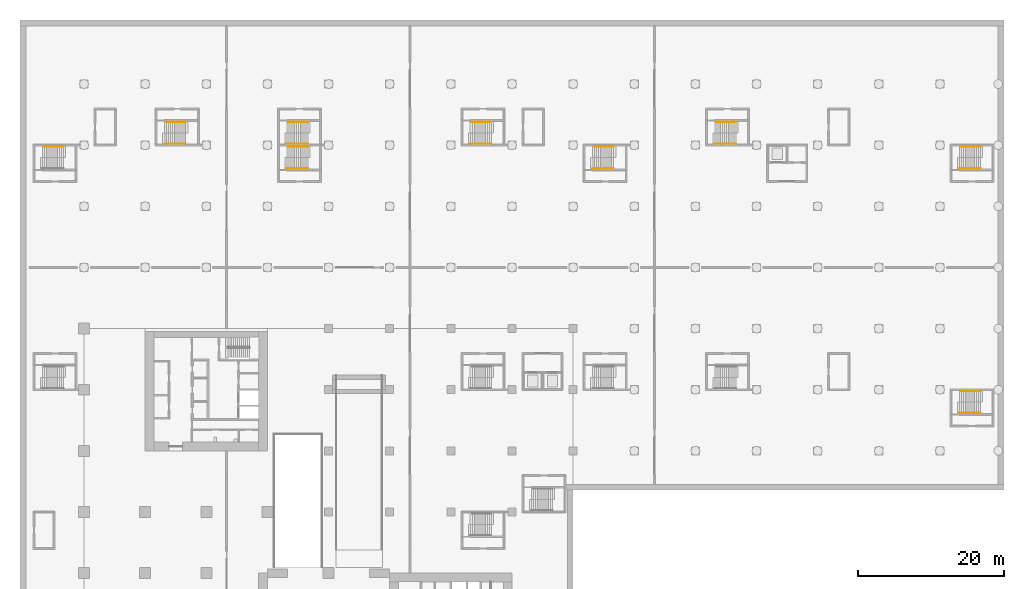
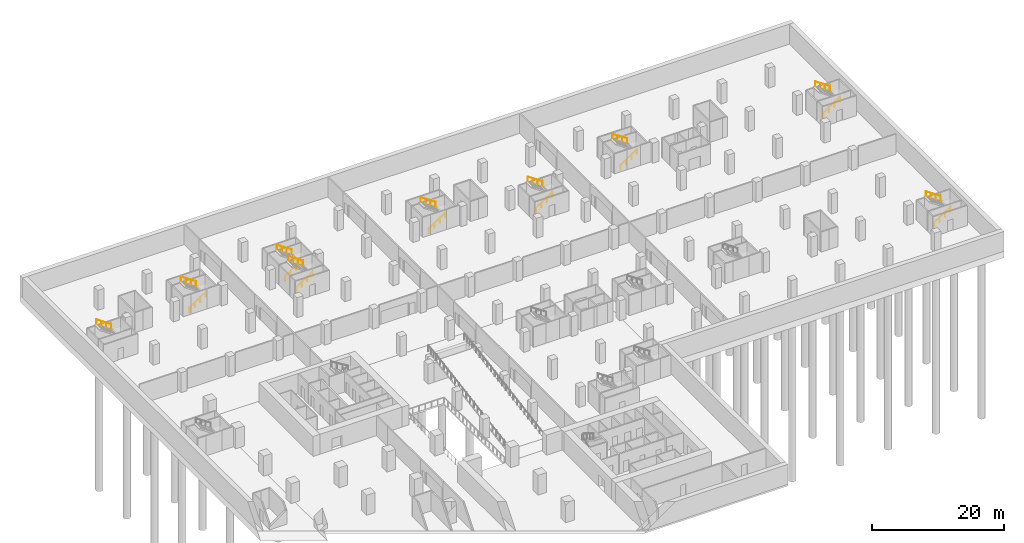
# One storey, part 17 of 19: 17 railings.
"""IFC4 building model written with IfcOpenShell, lengths in metres."""

from ifc_helpers import new_model, si_unit, direction, frame, origin, origin_2d, place, context, subcontext, project, spatial, circle, extrude, material, type_object, element, save


model = new_model("IFC4")

# Units and contexts
model_context = context("Model", 3, precision=1e-05, world=origin(), true_north=direction((0.0, 1.0)))
body_context = subcontext(model_context, "Body", "Model", "MODEL_VIEW")
ifc_project = project(units=[si_unit("LENGTHUNIT", "METRE"), si_unit("AREAUNIT", "SQUARE_METRE"), si_unit("VOLUMEUNIT", "CUBIC_METRE"), si_unit("PLANEANGLEUNIT", "RADIAN"), si_unit("MASSUNIT", "GRAM", prefix="KILO")], contexts=[model_context])

# Site, building, storey
site_placement = place(None, origin())
site = spatial("IfcSite", under=ifc_project, at=site_placement, CompositionType="ELEMENT")
building_placement = place(site_placement, origin())
building = spatial("IfcBuilding", under=site, at=building_placement, Name="Vermilion Gate Residences", CompositionType="ELEMENT")
storey_placement = place(building_placement, frame((0.0, 0.0, -8.0)))
storey = spatial("IfcBuildingStorey", under=building, at=storey_placement, Name="B2", CompositionType="ELEMENT", Elevation=-8.0)

# Railings
ifc_material = material(Name="Steel", Category="steel")
railing_type = type_object("IfcRailingType", Name="STAIR HANDRAIL 900 (AMENITY)", PredefinedType="HANDRAIL", material=ifc_material)
railing_1_placement = place(storey_placement, frame((120.300048828125, 47.199951171875, 0.173828125)))
element("IfcRailing", 1, at=railing_1_placement, inside=storey, type_object=railing_type, Name="Stair handrail", PredefinedType="HANDRAIL", context=body_context, shape_type="SweptSolid", body=[
    extrude(circle(Radius=0.02392578125, at=origin_2d()), frame((0.0, 0.0, 0.8759765625), z_axis=(0.831175961304, 0.0, 0.556009461565), x_axis=(0.0, 1.0, 0.0)), (0.0, 0.0, 1.0), 3.440673828125),
    extrude(circle(Radius=0.02099609375, at=origin_2d()), origin(), (0.0, 0.0, 1.0), 0.851806640625),
    extrude(circle(Radius=0.02099609375, at=origin_2d()), frame((0.953369140625, 0.0, 0.6376953125)), (0.0, 0.0, 1.0), 0.851806640625),
    extrude(circle(Radius=0.02099609375, at=origin_2d()), frame((1.906494140625, 0.0, 1.275390625)), (0.0, 0.0, 1.0), 0.851806640625),
    extrude(circle(Radius=0.02099609375, at=origin_2d()), frame((2.85986328125, 0.0, 1.9130859375)), (0.0, 0.0, 1.0), 0.851806640625),
])
for number, where, name in (
    (2, (123.159912109375, 50.199951171875, 2.260986328125), "Stair handrail"),
    (3, (-2.840087890625, 83.800048828125, 2.260986328125), "Stair handrail"),
):
    element("IfcRailing", number, at=place(storey_placement, frame(where)), inside=storey, type_object=railing_type, Name=name, PredefinedType="HANDRAIL", context=body_context, shape_type="SweptSolid", body=[
        extrude(circle(Radius=0.02392578125, at=origin_2d()), frame((0.0, 0.0, 0.8759765625), z_axis=(-0.831196721983, 0.0, 0.555978425269), x_axis=(0.0, -1.0, 0.0)), (0.0, 0.0, 1.0), 3.1279296875),
        extrude(circle(Radius=0.02099609375, at=origin_2d()), origin(), (0.0, 0.0, 1.0), 0.851806640625),
        extrude(circle(Radius=0.02099609375, at=origin_2d()), frame((-0.86669921875, 0.0, 0.57958984375)), (0.0, 0.0, 1.0), 0.851806640625),
        extrude(circle(Radius=0.02099609375, at=origin_2d()), frame((-1.733154296875, 0.0, 1.159423828125)), (0.0, 0.0, 1.0), 0.851806640625),
        extrude(circle(Radius=0.02099609375, at=origin_2d()), frame((-2.599853515625, 0.0, 1.739013671875)), (0.0, 0.0, 1.0), 0.851806640625),
    ])
railing_2_placement = place(storey_placement, frame((11.10009765625, 84.199951171875, 0.173828125)))
element("IfcRailing", 4, at=railing_2_placement, inside=storey, type_object=railing_type, Name="Stair handrail", PredefinedType="HANDRAIL", context=body_context, shape_type="SweptSolid", body=[
    extrude(circle(Radius=0.02392578125, at=origin_2d()), frame((0.0, 0.0, 0.8759765625), z_axis=(0.831175961304, 0.0, 0.556009461565), x_axis=(0.0, 1.0, 0.0)), (0.0, 0.0, 1.0), 3.440673828125),
    extrude(circle(Radius=0.02099609375, at=origin_2d()), origin(), (0.0, 0.0, 1.0), 0.851806640625),
    extrude(circle(Radius=0.02099609375, at=origin_2d()), frame((0.953369140625, 0.0, 0.6376953125)), (0.0, 0.0, 1.0), 0.851806640625),
    extrude(circle(Radius=0.02099609375, at=origin_2d()), frame((1.906494140625, 0.0, 1.275390625)), (0.0, 0.0, 1.0), 0.851806640625),
    extrude(circle(Radius=0.02099609375, at=origin_2d()), frame((2.85986328125, 0.0, 1.9130859375)), (0.0, 0.0, 1.0), 0.851806640625),
])
railing_3_placement = place(storey_placement, frame((13.9599609375, 87.199951171875, 2.260986328125)))
element("IfcRailing", 5, at=railing_3_placement, inside=storey, type_object=railing_type, Name="Stair handrail", PredefinedType="HANDRAIL", context=body_context, shape_type="SweptSolid", body=[
    extrude(circle(Radius=0.02392578125, at=origin_2d()), frame((0.0, 0.0, 0.8759765625), z_axis=(-0.831196721983, 0.0, 0.555978425269), x_axis=(0.0, -1.0, 0.0)), (0.0, 0.0, 1.0), 3.1279296875),
    extrude(circle(Radius=0.02099609375, at=origin_2d()), origin(), (0.0, 0.0, 1.0), 0.851806640625),
    extrude(circle(Radius=0.02099609375, at=origin_2d()), frame((-0.86669921875, 0.0, 0.57958984375)), (0.0, 0.0, 1.0), 0.851806640625),
    extrude(circle(Radius=0.02099609375, at=origin_2d()), frame((-1.733154296875, 0.0, 1.159423828125)), (0.0, 0.0, 1.0), 0.851806640625),
    extrude(circle(Radius=0.02099609375, at=origin_2d()), frame((-2.599853515625, 0.0, 1.739013671875)), (0.0, 0.0, 1.0), 0.851806640625),
])
railing_4_placement = place(storey_placement, frame((27.89990234375, 84.199951171875, 0.173828125)))
element("IfcRailing", 6, at=railing_4_placement, inside=storey, type_object=railing_type, Name="Stair handrail", PredefinedType="HANDRAIL", context=body_context, shape_type="SweptSolid", body=[
    extrude(circle(Radius=0.02392578125, at=origin_2d()), frame((0.0, 0.0, 0.8759765625), z_axis=(0.831197895095, 0.0, 0.555976671444), x_axis=(0.0, 1.0, 0.0)), (0.0, 0.0, 1.0), 3.44091796875),
    extrude(circle(Radius=0.02099609375, at=origin_2d()), origin(), (0.0, 0.0, 1.0), 0.851806640625),
    extrude(circle(Radius=0.02099609375, at=origin_2d()), frame((0.953369140625, 0.0, 0.6376953125)), (0.0, 0.0, 1.0), 0.851806640625),
    extrude(circle(Radius=0.02099609375, at=origin_2d()), frame((1.90673828125, 0.0, 1.275390625)), (0.0, 0.0, 1.0), 0.851806640625),
    extrude(circle(Radius=0.02099609375, at=origin_2d()), frame((2.860107421875, 0.0, 1.9130859375)), (0.0, 0.0, 1.0), 0.851806640625),
])
railing_5_placement = place(storey_placement, frame((30.760009765625, 87.199951171875, 2.260986328125)))
element("IfcRailing", 7, at=railing_5_placement, inside=storey, type_object=railing_type, Name="Stair handrail", PredefinedType="HANDRAIL", context=body_context, shape_type="SweptSolid", body=[
    extrude(circle(Radius=0.02392578125, at=origin_2d()), frame((0.0, 0.0, 0.8759765625), z_axis=(-0.831220847055, 0.0, 0.555942356204), x_axis=(0.0, -1.0, 0.0)), (0.0, 0.0, 1.0), 3.1279296875),
    extrude(circle(Radius=0.02099609375, at=origin_2d()), origin(), (0.0, 0.0, 1.0), 0.851806640625),
    extrude(circle(Radius=0.02099609375, at=origin_2d()), frame((-0.86669921875, 0.0, 0.57958984375)), (0.0, 0.0, 1.0), 0.851806640625),
    extrude(circle(Radius=0.02099609375, at=origin_2d()), frame((-1.7333984375, 0.0, 1.159423828125)), (0.0, 0.0, 1.0), 0.851806640625),
    extrude(circle(Radius=0.02099609375, at=origin_2d()), frame((-2.60009765625, 0.0, 1.739013671875)), (0.0, 0.0, 1.0), 0.851806640625),
])
railing_6_placement = place(storey_placement, frame((27.89990234375, 80.800048828125, 0.173828125)))
element("IfcRailing", 8, at=railing_6_placement, inside=storey, type_object=railing_type, Name="Stair handrail", PredefinedType="HANDRAIL", context=body_context, shape_type="SweptSolid", body=[
    extrude(circle(Radius=0.02392578125, at=origin_2d()), frame((0.0, 0.0, 0.8759765625), z_axis=(0.831197895095, 0.0, 0.555976671444), x_axis=(0.0, 1.0, 0.0)), (0.0, 0.0, 1.0), 3.44091796875),
    extrude(circle(Radius=0.02099609375, at=origin_2d()), origin(), (0.0, 0.0, 1.0), 0.851806640625),
    extrude(circle(Radius=0.02099609375, at=origin_2d()), frame((0.953369140625, 0.0, 0.6376953125)), (0.0, 0.0, 1.0), 0.851806640625),
    extrude(circle(Radius=0.02099609375, at=origin_2d()), frame((1.90673828125, 0.0, 1.275390625)), (0.0, 0.0, 1.0), 0.851806640625),
    extrude(circle(Radius=0.02099609375, at=origin_2d()), frame((2.860107421875, 0.0, 1.9130859375)), (0.0, 0.0, 1.0), 0.851806640625),
])
railing_7_placement = place(storey_placement, frame((30.760009765625, 83.800048828125, 2.260986328125)))
element("IfcRailing", 9, at=railing_7_placement, inside=storey, type_object=railing_type, Name="Stair handrail", PredefinedType="HANDRAIL", context=body_context, shape_type="SweptSolid", body=[
    extrude(circle(Radius=0.02392578125, at=origin_2d()), frame((0.0, 0.0, 0.8759765625), z_axis=(-0.831220847055, 0.0, 0.555942356204), x_axis=(0.0, -1.0, 0.0)), (0.0, 0.0, 1.0), 3.1279296875),
    extrude(circle(Radius=0.02099609375, at=origin_2d()), origin(), (0.0, 0.0, 1.0), 0.851806640625),
    extrude(circle(Radius=0.02099609375, at=origin_2d()), frame((-0.86669921875, 0.0, 0.57958984375)), (0.0, 0.0, 1.0), 0.851806640625),
    extrude(circle(Radius=0.02099609375, at=origin_2d()), frame((-1.7333984375, 0.0, 1.159423828125)), (0.0, 0.0, 1.0), 0.851806640625),
    extrude(circle(Radius=0.02099609375, at=origin_2d()), frame((-2.60009765625, 0.0, 1.739013671875)), (0.0, 0.0, 1.0), 0.851806640625),
])
railing_8_placement = place(storey_placement, frame((69.89990234375, 80.800048828125, 0.173828125)))
element("IfcRailing", 10, at=railing_8_placement, inside=storey, type_object=railing_type, Name="Stair handrail", PredefinedType="HANDRAIL", context=body_context, shape_type="SweptSolid", body=[
    extrude(circle(Radius=0.02392578125, at=origin_2d()), frame((0.0, 0.0, 0.8759765625), z_axis=(0.831197895095, 0.0, 0.555976671444), x_axis=(0.0, 1.0, 0.0)), (0.0, 0.0, 1.0), 3.44091796875),
    extrude(circle(Radius=0.02099609375, at=origin_2d()), origin(), (0.0, 0.0, 1.0), 0.851806640625),
    extrude(circle(Radius=0.02099609375, at=origin_2d()), frame((0.953369140625, 0.0, 0.6376953125)), (0.0, 0.0, 1.0), 0.851806640625),
    extrude(circle(Radius=0.02099609375, at=origin_2d()), frame((1.90673828125, 0.0, 1.275390625)), (0.0, 0.0, 1.0), 0.851806640625),
    extrude(circle(Radius=0.02099609375, at=origin_2d()), frame((2.860107421875, 0.0, 1.9130859375)), (0.0, 0.0, 1.0), 0.851806640625),
])
railing_9_placement = place(storey_placement, frame((72.760009765625, 83.800048828125, 2.260986328125)))
element("IfcRailing", 11, at=railing_9_placement, inside=storey, type_object=railing_type, Name="Stair handrail", PredefinedType="HANDRAIL", context=body_context, shape_type="SweptSolid", body=[
    extrude(circle(Radius=0.02392578125, at=origin_2d()), frame((0.0, 0.0, 0.8759765625), z_axis=(-0.831220847055, 0.0, 0.555942356204), x_axis=(0.0, -1.0, 0.0)), (0.0, 0.0, 1.0), 3.1279296875),
    extrude(circle(Radius=0.02099609375, at=origin_2d()), origin(), (0.0, 0.0, 1.0), 0.851806640625),
    extrude(circle(Radius=0.02099609375, at=origin_2d()), frame((-0.86669921875, 0.0, 0.57958984375)), (0.0, 0.0, 1.0), 0.851806640625),
    extrude(circle(Radius=0.02099609375, at=origin_2d()), frame((-1.7333984375, 0.0, 1.159423828125)), (0.0, 0.0, 1.0), 0.851806640625),
    extrude(circle(Radius=0.02099609375, at=origin_2d()), frame((-2.60009765625, 0.0, 1.739013671875)), (0.0, 0.0, 1.0), 0.851806640625),
])
railing_10_placement = place(storey_placement, frame((53.10009765625, 84.199951171875, 0.173828125)))
element("IfcRailing", 12, at=railing_10_placement, inside=storey, type_object=railing_type, Name="Stair handrail", PredefinedType="HANDRAIL", context=body_context, shape_type="SweptSolid", body=[
    extrude(circle(Radius=0.02392578125, at=origin_2d()), frame((0.0, 0.0, 0.8759765625), z_axis=(0.831175961304, 0.0, 0.556009461565), x_axis=(0.0, 1.0, 0.0)), (0.0, 0.0, 1.0), 3.440673828125),
    extrude(circle(Radius=0.02099609375, at=origin_2d()), origin(), (0.0, 0.0, 1.0), 0.851806640625),
    extrude(circle(Radius=0.02099609375, at=origin_2d()), frame((0.953369140625, 0.0, 0.6376953125)), (0.0, 0.0, 1.0), 0.851806640625),
    extrude(circle(Radius=0.02099609375, at=origin_2d()), frame((1.906494140625, 0.0, 1.275390625)), (0.0, 0.0, 1.0), 0.851806640625),
    extrude(circle(Radius=0.02099609375, at=origin_2d()), frame((2.85986328125, 0.0, 1.9130859375)), (0.0, 0.0, 1.0), 0.851806640625),
])
railing_11_placement = place(storey_placement, frame((55.9599609375, 87.199951171875, 2.260986328125)))
element("IfcRailing", 13, at=railing_11_placement, inside=storey, type_object=railing_type, Name="Stair handrail", PredefinedType="HANDRAIL", context=body_context, shape_type="SweptSolid", body=[
    extrude(circle(Radius=0.02392578125, at=origin_2d()), frame((0.0, 0.0, 0.8759765625), z_axis=(-0.831196721983, 0.0, 0.555978425269), x_axis=(0.0, -1.0, 0.0)), (0.0, 0.0, 1.0), 3.1279296875),
    extrude(circle(Radius=0.02099609375, at=origin_2d()), origin(), (0.0, 0.0, 1.0), 0.851806640625),
    extrude(circle(Radius=0.02099609375, at=origin_2d()), frame((-0.86669921875, 0.0, 0.57958984375)), (0.0, 0.0, 1.0), 0.851806640625),
    extrude(circle(Radius=0.02099609375, at=origin_2d()), frame((-1.733154296875, 0.0, 1.159423828125)), (0.0, 0.0, 1.0), 0.851806640625),
    extrude(circle(Radius=0.02099609375, at=origin_2d()), frame((-2.599853515625, 0.0, 1.739013671875)), (0.0, 0.0, 1.0), 0.851806640625),
])
railing_12_placement = place(storey_placement, frame((120.300048828125, 80.800048828125, 0.173828125)))
element("IfcRailing", 14, at=railing_12_placement, inside=storey, type_object=railing_type, Name="Stair handrail", PredefinedType="HANDRAIL", context=body_context, shape_type="SweptSolid", body=[
    extrude(circle(Radius=0.02392578125, at=origin_2d()), frame((0.0, 0.0, 0.8759765625), z_axis=(0.831175961304, 0.0, 0.556009461565), x_axis=(0.0, 1.0, 0.0)), (0.0, 0.0, 1.0), 3.440673828125),
    extrude(circle(Radius=0.02099609375, at=origin_2d()), origin(), (0.0, 0.0, 1.0), 0.851806640625),
    extrude(circle(Radius=0.02099609375, at=origin_2d()), frame((0.953369140625, 0.0, 0.6376953125)), (0.0, 0.0, 1.0), 0.851806640625),
    extrude(circle(Radius=0.02099609375, at=origin_2d()), frame((1.906494140625, 0.0, 1.275390625)), (0.0, 0.0, 1.0), 0.851806640625),
    extrude(circle(Radius=0.02099609375, at=origin_2d()), frame((2.85986328125, 0.0, 1.9130859375)), (0.0, 0.0, 1.0), 0.851806640625),
])
railing_13_placement = place(storey_placement, frame((123.159912109375, 83.800048828125, 2.260986328125)))
element("IfcRailing", 15, at=railing_13_placement, inside=storey, type_object=railing_type, Name="Stair handrail", PredefinedType="HANDRAIL", context=body_context, shape_type="SweptSolid", body=[
    extrude(circle(Radius=0.02392578125, at=origin_2d()), frame((0.0, 0.0, 0.8759765625), z_axis=(-0.831196721983, 0.0, 0.555978425269), x_axis=(0.0, -1.0, 0.0)), (0.0, 0.0, 1.0), 3.1279296875),
    extrude(circle(Radius=0.02099609375, at=origin_2d()), origin(), (0.0, 0.0, 1.0), 0.851806640625),
    extrude(circle(Radius=0.02099609375, at=origin_2d()), frame((-0.86669921875, 0.0, 0.57958984375)), (0.0, 0.0, 1.0), 0.851806640625),
    extrude(circle(Radius=0.02099609375, at=origin_2d()), frame((-1.733154296875, 0.0, 1.159423828125)), (0.0, 0.0, 1.0), 0.851806640625),
    extrude(circle(Radius=0.02099609375, at=origin_2d()), frame((-2.599853515625, 0.0, 1.739013671875)), (0.0, 0.0, 1.0), 0.851806640625),
])
railing_14_placement = place(storey_placement, frame((86.699951171875, 84.199951171875, 0.173828125)))
element("IfcRailing", 16, at=railing_14_placement, inside=storey, type_object=railing_type, Name="Stair handrail", PredefinedType="HANDRAIL", context=body_context, shape_type="SweptSolid", body=[
    extrude(circle(Radius=0.02392578125, at=origin_2d()), frame((0.0, 0.0, 0.8759765625), z_axis=(0.831197895095, 0.0, 0.555976671444), x_axis=(0.0, 1.0, 0.0)), (0.0, 0.0, 1.0), 3.44091796875),
    extrude(circle(Radius=0.02099609375, at=origin_2d()), origin(), (0.0, 0.0, 1.0), 0.851806640625),
    extrude(circle(Radius=0.02099609375, at=origin_2d()), frame((0.953369140625, 0.0, 0.6376953125)), (0.0, 0.0, 1.0), 0.851806640625),
    extrude(circle(Radius=0.02099609375, at=origin_2d()), frame((1.90673828125, 0.0, 1.275390625)), (0.0, 0.0, 1.0), 0.851806640625),
    extrude(circle(Radius=0.02099609375, at=origin_2d()), frame((2.860107421875, 0.0, 1.9130859375)), (0.0, 0.0, 1.0), 0.851806640625),
])
railing_15_placement = place(storey_placement, frame((89.56005859375, 87.199951171875, 2.260986328125)))
element("IfcRailing", 17, at=railing_15_placement, inside=storey, type_object=railing_type, Name="Stair handrail", PredefinedType="HANDRAIL", context=body_context, shape_type="SweptSolid", body=[
    extrude(circle(Radius=0.02392578125, at=origin_2d()), frame((0.0, 0.0, 0.8759765625), z_axis=(-0.831220847055, 0.0, 0.555942356204), x_axis=(0.0, -1.0, 0.0)), (0.0, 0.0, 1.0), 3.1279296875),
    extrude(circle(Radius=0.02099609375, at=origin_2d()), origin(), (0.0, 0.0, 1.0), 0.851806640625),
    extrude(circle(Radius=0.02099609375, at=origin_2d()), frame((-0.86669921875, 0.0, 0.57958984375)), (0.0, 0.0, 1.0), 0.851806640625),
    extrude(circle(Radius=0.02099609375, at=origin_2d()), frame((-1.7333984375, 0.0, 1.159423828125)), (0.0, 0.0, 1.0), 0.851806640625),
    extrude(circle(Radius=0.02099609375, at=origin_2d()), frame((-2.60009765625, 0.0, 1.739013671875)), (0.0, 0.0, 1.0), 0.851806640625),
])

save(model, "model.ifc")
